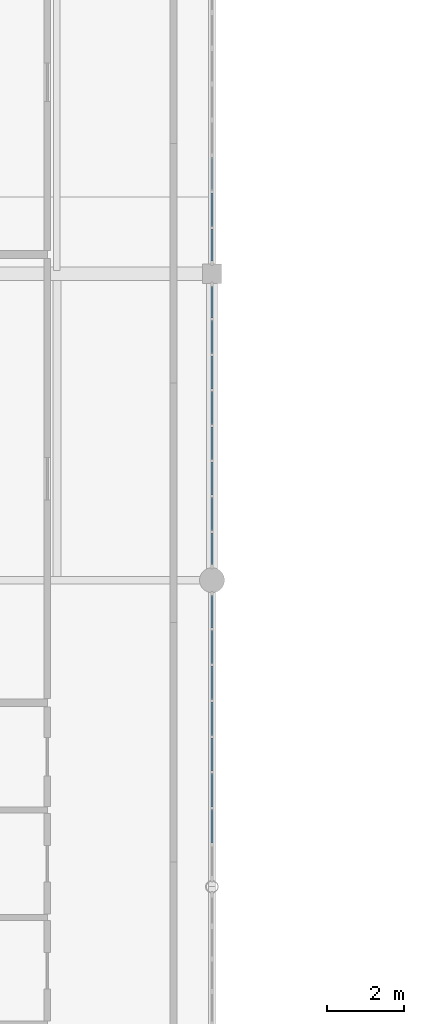
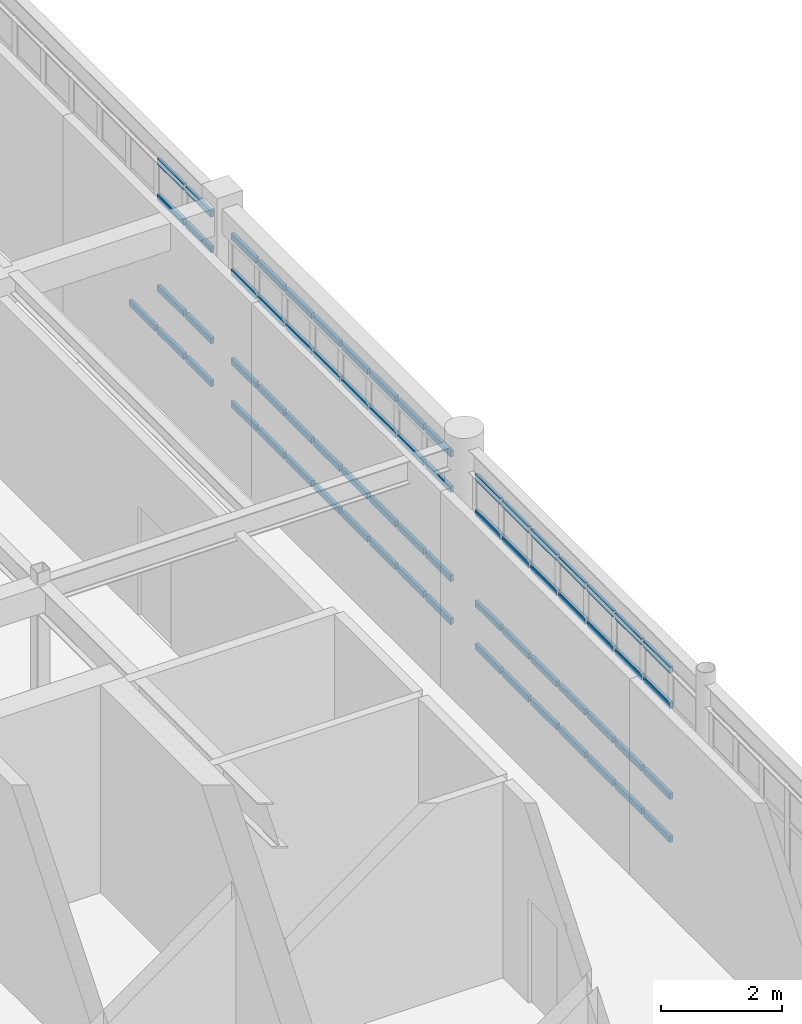
# One storey, part 7 of 18: 69 members, 3 elements without a shape of their own.
"""IFC4 building model written with IfcOpenShell, lengths in metres."""

from ifc_helpers import new_model, si_unit, direction, frame, origin, origin_2d, place, context, subcontext, project, spatial, rectangle, extrude, material, material_profile, profile_set, type_object, element, aggregate, save


model = new_model("IFC4")

# Units and contexts
model_context = context("Model", 3, precision=1e-05, world=origin(), true_north=direction((0.0, 1.0)))
body_context = subcontext(model_context, "Body", "Model", "MODEL_VIEW")
ifc_project = project(units=[si_unit("LENGTHUNIT", "METRE"), si_unit("AREAUNIT", "SQUARE_METRE"), si_unit("VOLUMEUNIT", "CUBIC_METRE"), si_unit("PLANEANGLEUNIT", "RADIAN"), si_unit("MASSUNIT", "GRAM", prefix="KILO")], contexts=[model_context])

# Site, building, storey
site_placement = place(None, origin())
site = spatial("IfcSite", under=ifc_project, at=site_placement, CompositionType="ELEMENT")
building_placement = place(site_placement, origin())
building = spatial("IfcBuilding", under=site, at=building_placement, Name="Tarnveldt Square Police Headquarters", CompositionType="ELEMENT")
storey_placement = place(building_placement, frame((0.0, 0.0, 29.10009765625)))
storey = spatial("IfcBuildingStorey", under=building, at=storey_placement, Name="L06", CompositionType="ELEMENT", Elevation=29.10009765625)

# Curtain wall, members
ifc_material_1 = material(Name="Triple-glazed low-e laminated vision glass", Category="glass")
curtain_wall_type_1 = type_object("IfcCurtainWallType", Name="CW-UP-748x349", PredefinedType="USERDEFINED", material=ifc_material_1)
curtain_wall_1_placement = place(storey_placement, origin())
curtain_wall_1 = element("IfcCurtainWall", 1, at=curtain_wall_1_placement, inside=storey, type_object=curtain_wall_type_1, Name="L06 Curtain Wall CW-L06-090", ObjectType="GLAZED CURTAIN WALL", PredefinedType="USERDEFINED")
ifc_material_2 = material(Name="Thermally broken anodised aluminium 6063-T6", Category="aluminium")
ifc_material_profile = material_profile(ifc_material_2, rectangle(XDim=0.06494140625, YDim=0.1201171875, at=origin_2d()), Name="CW-T65x120")
ifc_profile_set = profile_set([ifc_material_profile], Name="Thermally broken anodised aluminium 6063-T6")
member_type = type_object("IfcMemberType", Name="CWT-65x120", PredefinedType="USERDEFINED", material=ifc_profile_set)
member_1_placement = place(storey_placement, frame((40.5, 65.144775390625, 0.032470703125), z_axis=(0.0, 1.0, 0.0), x_axis=(-1.0, 0.0, 0.0)))
member_1 = element("IfcMember", 2, at=member_1_placement, type_object=member_type, Name="CW-UP44 transom 2.1", ObjectType="TRANSOM", PredefinedType="USERDEFINED", context=body_context, shape_type="SweptSolid", body=[
    extrude(rectangle(XDim=0.06494140625, YDim=0.1201171875, at=origin_2d()), origin(), (0.0, 0.0, 1.0), 0.870361328125),
])
member_2_placement = place(storey_placement, frame((40.5, 65.144775390625, 0.89990234375), z_axis=(0.0, 1.0, 0.0), x_axis=(-1.0, 0.0, 0.0)))
member_2 = element("IfcMember", 3, at=member_2_placement, type_object=member_type, Name="CW-UP44 transom 2.2", ObjectType="TRANSOM", PredefinedType="USERDEFINED", context=body_context, shape_type="SweptSolid", body=[
    extrude(rectangle(XDim=0.06494140625, YDim=0.1201171875, at=origin_2d()), origin(), (0.0, 0.0, 1.0), 0.870361328125),
])
member_3_placement = place(storey_placement, frame((40.5, 65.144775390625, 2.739013671875), z_axis=(0.0, 1.0, 0.0), x_axis=(-1.0, 0.0, 0.0)))
member_3 = element("IfcMember", 4, at=member_3_placement, type_object=member_type, Name="CW-UP44 transom 2.3", ObjectType="TRANSOM", PredefinedType="USERDEFINED", context=body_context, shape_type="SweptSolid", body=[
    extrude(rectangle(XDim=0.06494140625, YDim=0.1201171875, at=origin_2d()), origin(), (0.0, 0.0, 1.0), 0.870361328125),
])
member_4_placement = place(storey_placement, frame((40.5, 65.144775390625, 3.456298828125), z_axis=(0.0, 1.0, 0.0), x_axis=(-1.0, 0.0, 0.0)))
member_4 = element("IfcMember", 5, at=member_4_placement, type_object=member_type, Name="CW-UP44 transom 2.4", ObjectType="TRANSOM", PredefinedType="USERDEFINED", context=body_context, shape_type="SweptSolid", body=[
    extrude(rectangle(XDim=0.06494140625, YDim=0.1201171875, at=origin_2d()), origin(), (0.0, 0.0, 1.0), 0.870361328125),
])
member_5_placement = place(storey_placement, frame((40.5, 66.080322265625, 0.032470703125), z_axis=(0.0, 1.0, 0.0), x_axis=(-1.0, 0.0, 0.0)))
member_5 = element("IfcMember", 6, at=member_5_placement, type_object=member_type, Name="CW-UP44 transom 3.1", ObjectType="TRANSOM", PredefinedType="USERDEFINED", context=body_context, shape_type="SweptSolid", body=[
    extrude(rectangle(XDim=0.06494140625, YDim=0.1201171875, at=origin_2d()), origin(), (0.0, 0.0, 1.0), 0.870361328125),
])
member_6_placement = place(storey_placement, frame((40.5, 66.080322265625, 0.89990234375), z_axis=(0.0, 1.0, 0.0), x_axis=(-1.0, 0.0, 0.0)))
member_6 = element("IfcMember", 7, at=member_6_placement, type_object=member_type, Name="CW-UP44 transom 3.2", ObjectType="TRANSOM", PredefinedType="USERDEFINED", context=body_context, shape_type="SweptSolid", body=[
    extrude(rectangle(XDim=0.06494140625, YDim=0.1201171875, at=origin_2d()), origin(), (0.0, 0.0, 1.0), 0.870361328125),
])
member_7_placement = place(storey_placement, frame((40.5, 66.080322265625, 2.739013671875), z_axis=(0.0, 1.0, 0.0), x_axis=(-1.0, 0.0, 0.0)))
member_7 = element("IfcMember", 8, at=member_7_placement, type_object=member_type, Name="CW-UP44 transom 3.3", ObjectType="TRANSOM", PredefinedType="USERDEFINED", context=body_context, shape_type="SweptSolid", body=[
    extrude(rectangle(XDim=0.06494140625, YDim=0.1201171875, at=origin_2d()), origin(), (0.0, 0.0, 1.0), 0.870361328125),
])
member_8_placement = place(storey_placement, frame((40.5, 66.080322265625, 3.456298828125), z_axis=(0.0, 1.0, 0.0), x_axis=(-1.0, 0.0, 0.0)))
member_8 = element("IfcMember", 9, at=member_8_placement, type_object=member_type, Name="CW-UP44 transom 3.4", ObjectType="TRANSOM", PredefinedType="USERDEFINED", context=body_context, shape_type="SweptSolid", body=[
    extrude(rectangle(XDim=0.06494140625, YDim=0.1201171875, at=origin_2d()), origin(), (0.0, 0.0, 1.0), 0.870361328125),
])
member_9_placement = place(storey_placement, frame((40.5, 67.015625, 0.032470703125), z_axis=(0.0, 1.0, 0.0), x_axis=(-1.0, 0.0, 0.0)))
member_9 = element("IfcMember", 10, at=member_9_placement, type_object=member_type, Name="CW-UP44 transom 4.1", ObjectType="TRANSOM", PredefinedType="USERDEFINED", context=body_context, shape_type="SweptSolid", body=[
    extrude(rectangle(XDim=0.06494140625, YDim=0.1201171875, at=origin_2d()), origin(), (0.0, 0.0, 1.0), 0.870361328125),
])
member_10_placement = place(storey_placement, frame((40.5, 67.015625, 0.89990234375), z_axis=(0.0, 1.0, 0.0), x_axis=(-1.0, 0.0, 0.0)))
member_10 = element("IfcMember", 11, at=member_10_placement, type_object=member_type, Name="CW-UP44 transom 4.2", ObjectType="TRANSOM", PredefinedType="USERDEFINED", context=body_context, shape_type="SweptSolid", body=[
    extrude(rectangle(XDim=0.06494140625, YDim=0.1201171875, at=origin_2d()), origin(), (0.0, 0.0, 1.0), 0.870361328125),
])
member_11_placement = place(storey_placement, frame((40.5, 67.015625, 2.739013671875), z_axis=(0.0, 1.0, 0.0), x_axis=(-1.0, 0.0, 0.0)))
member_11 = element("IfcMember", 12, at=member_11_placement, type_object=member_type, Name="CW-UP44 transom 4.3", ObjectType="TRANSOM", PredefinedType="USERDEFINED", context=body_context, shape_type="SweptSolid", body=[
    extrude(rectangle(XDim=0.06494140625, YDim=0.1201171875, at=origin_2d()), origin(), (0.0, 0.0, 1.0), 0.870361328125),
])
member_12_placement = place(storey_placement, frame((40.5, 67.015625, 3.456298828125), z_axis=(0.0, 1.0, 0.0), x_axis=(-1.0, 0.0, 0.0)))
member_12 = element("IfcMember", 13, at=member_12_placement, type_object=member_type, Name="CW-UP44 transom 4.4", ObjectType="TRANSOM", PredefinedType="USERDEFINED", context=body_context, shape_type="SweptSolid", body=[
    extrude(rectangle(XDim=0.06494140625, YDim=0.1201171875, at=origin_2d()), origin(), (0.0, 0.0, 1.0), 0.870361328125),
])
member_13_placement = place(storey_placement, frame((40.5, 67.950927734375, 0.032470703125), z_axis=(0.0, 1.0, 0.0), x_axis=(-1.0, 0.0, 0.0)))
member_13 = element("IfcMember", 14, at=member_13_placement, type_object=member_type, Name="CW-UP44 transom 5.1", ObjectType="TRANSOM", PredefinedType="USERDEFINED", context=body_context, shape_type="SweptSolid", body=[
    extrude(rectangle(XDim=0.06494140625, YDim=0.1201171875, at=origin_2d()), origin(), (0.0, 0.0, 1.0), 0.870361328125),
])
member_14_placement = place(storey_placement, frame((40.5, 67.950927734375, 0.89990234375), z_axis=(0.0, 1.0, 0.0), x_axis=(-1.0, 0.0, 0.0)))
member_14 = element("IfcMember", 15, at=member_14_placement, type_object=member_type, Name="CW-UP44 transom 5.2", ObjectType="TRANSOM", PredefinedType="USERDEFINED", context=body_context, shape_type="SweptSolid", body=[
    extrude(rectangle(XDim=0.06494140625, YDim=0.1201171875, at=origin_2d()), origin(), (0.0, 0.0, 1.0), 0.870361328125),
])
member_15_placement = place(storey_placement, frame((40.5, 67.950927734375, 2.739013671875), z_axis=(0.0, 1.0, 0.0), x_axis=(-1.0, 0.0, 0.0)))
member_15 = element("IfcMember", 16, at=member_15_placement, type_object=member_type, Name="CW-UP44 transom 5.3", ObjectType="TRANSOM", PredefinedType="USERDEFINED", context=body_context, shape_type="SweptSolid", body=[
    extrude(rectangle(XDim=0.06494140625, YDim=0.1201171875, at=origin_2d()), origin(), (0.0, 0.0, 1.0), 0.870361328125),
])
member_16_placement = place(storey_placement, frame((40.5, 67.950927734375, 3.456298828125), z_axis=(0.0, 1.0, 0.0), x_axis=(-1.0, 0.0, 0.0)))
member_16 = element("IfcMember", 17, at=member_16_placement, type_object=member_type, Name="CW-UP44 transom 5.4", ObjectType="TRANSOM", PredefinedType="USERDEFINED", context=body_context, shape_type="SweptSolid", body=[
    extrude(rectangle(XDim=0.06494140625, YDim=0.1201171875, at=origin_2d()), origin(), (0.0, 0.0, 1.0), 0.870361328125),
])
member_17_placement = place(storey_placement, frame((40.5, 68.886474609375, 0.032470703125), z_axis=(0.0, 1.0, 0.0), x_axis=(-1.0, 0.0, 0.0)))
member_17 = element("IfcMember", 18, at=member_17_placement, type_object=member_type, Name="CW-UP44 transom 6.1", ObjectType="TRANSOM", PredefinedType="USERDEFINED", context=body_context, shape_type="SweptSolid", body=[
    extrude(rectangle(XDim=0.06494140625, YDim=0.1201171875, at=origin_2d()), origin(), (0.0, 0.0, 1.0), 0.870361328125),
])
member_18_placement = place(storey_placement, frame((40.5, 68.886474609375, 0.89990234375), z_axis=(0.0, 1.0, 0.0), x_axis=(-1.0, 0.0, 0.0)))
member_18 = element("IfcMember", 19, at=member_18_placement, type_object=member_type, Name="CW-UP44 transom 6.2", ObjectType="TRANSOM", PredefinedType="USERDEFINED", context=body_context, shape_type="SweptSolid", body=[
    extrude(rectangle(XDim=0.06494140625, YDim=0.1201171875, at=origin_2d()), origin(), (0.0, 0.0, 1.0), 0.870361328125),
])
member_19_placement = place(storey_placement, frame((40.5, 68.886474609375, 2.739013671875), z_axis=(0.0, 1.0, 0.0), x_axis=(-1.0, 0.0, 0.0)))
member_19 = element("IfcMember", 20, at=member_19_placement, type_object=member_type, Name="CW-UP44 transom 6.3", ObjectType="TRANSOM", PredefinedType="USERDEFINED", context=body_context, shape_type="SweptSolid", body=[
    extrude(rectangle(XDim=0.06494140625, YDim=0.1201171875, at=origin_2d()), origin(), (0.0, 0.0, 1.0), 0.870361328125),
])
member_20_placement = place(storey_placement, frame((40.5, 68.886474609375, 3.456298828125), z_axis=(0.0, 1.0, 0.0), x_axis=(-1.0, 0.0, 0.0)))
member_20 = element("IfcMember", 21, at=member_20_placement, type_object=member_type, Name="CW-UP44 transom 6.4", ObjectType="TRANSOM", PredefinedType="USERDEFINED", context=body_context, shape_type="SweptSolid", body=[
    extrude(rectangle(XDim=0.06494140625, YDim=0.1201171875, at=origin_2d()), origin(), (0.0, 0.0, 1.0), 0.870361328125),
])
member_21_placement = place(storey_placement, frame((40.5, 69.82177734375, 0.032470703125), z_axis=(0.0, 1.0, 0.0), x_axis=(-1.0, 0.0, 0.0)))
member_21 = element("IfcMember", 22, at=member_21_placement, type_object=member_type, Name="CW-UP44 transom 7.1", ObjectType="TRANSOM", PredefinedType="USERDEFINED", context=body_context, shape_type="SweptSolid", body=[
    extrude(rectangle(XDim=0.06494140625, YDim=0.1201171875, at=origin_2d()), origin(), (0.0, 0.0, 1.0), 0.870361328125),
])
member_22_placement = place(storey_placement, frame((40.5, 69.82177734375, 0.89990234375), z_axis=(0.0, 1.0, 0.0), x_axis=(-1.0, 0.0, 0.0)))
member_22 = element("IfcMember", 23, at=member_22_placement, type_object=member_type, Name="CW-UP44 transom 7.2", ObjectType="TRANSOM", PredefinedType="USERDEFINED", context=body_context, shape_type="SweptSolid", body=[
    extrude(rectangle(XDim=0.06494140625, YDim=0.1201171875, at=origin_2d()), origin(), (0.0, 0.0, 1.0), 0.870361328125),
])
member_23_placement = place(storey_placement, frame((40.5, 69.82177734375, 2.739013671875), z_axis=(0.0, 1.0, 0.0), x_axis=(-1.0, 0.0, 0.0)))
member_23 = element("IfcMember", 24, at=member_23_placement, type_object=member_type, Name="CW-UP44 transom 7.3", ObjectType="TRANSOM", PredefinedType="USERDEFINED", context=body_context, shape_type="SweptSolid", body=[
    extrude(rectangle(XDim=0.06494140625, YDim=0.1201171875, at=origin_2d()), origin(), (0.0, 0.0, 1.0), 0.870361328125),
])
member_24_placement = place(storey_placement, frame((40.5, 69.82177734375, 3.456298828125), z_axis=(0.0, 1.0, 0.0), x_axis=(-1.0, 0.0, 0.0)))
member_24 = element("IfcMember", 25, at=member_24_placement, type_object=member_type, Name="CW-UP44 transom 7.4", ObjectType="TRANSOM", PredefinedType="USERDEFINED", context=body_context, shape_type="SweptSolid", body=[
    extrude(rectangle(XDim=0.06494140625, YDim=0.1201171875, at=origin_2d()), origin(), (0.0, 0.0, 1.0), 0.870361328125),
])
member_25_placement = place(storey_placement, frame((40.5, 70.757080078125, 0.032470703125), z_axis=(0.0, 1.0, 0.0), x_axis=(-1.0, 0.0, 0.0)))
member_25 = element("IfcMember", 26, at=member_25_placement, type_object=member_type, Name="CW-UP44 transom 8.1", ObjectType="TRANSOM", PredefinedType="USERDEFINED", context=body_context, shape_type="SweptSolid", body=[
    extrude(rectangle(XDim=0.06494140625, YDim=0.1201171875, at=origin_2d()), origin(), (0.0, 0.0, 1.0), 0.837890625),
])
member_26_placement = place(storey_placement, frame((40.5, 70.757080078125, 0.89990234375), z_axis=(0.0, 1.0, 0.0), x_axis=(-1.0, 0.0, 0.0)))
member_26 = element("IfcMember", 27, at=member_26_placement, type_object=member_type, Name="CW-UP44 transom 8.2", ObjectType="TRANSOM", PredefinedType="USERDEFINED", context=body_context, shape_type="SweptSolid", body=[
    extrude(rectangle(XDim=0.06494140625, YDim=0.1201171875, at=origin_2d()), origin(), (0.0, 0.0, 1.0), 0.837890625),
])
member_27_placement = place(storey_placement, frame((40.5, 70.757080078125, 2.739013671875), z_axis=(0.0, 1.0, 0.0), x_axis=(-1.0, 0.0, 0.0)))
member_27 = element("IfcMember", 28, at=member_27_placement, type_object=member_type, Name="CW-UP44 transom 8.3", ObjectType="TRANSOM", PredefinedType="USERDEFINED", context=body_context, shape_type="SweptSolid", body=[
    extrude(rectangle(XDim=0.06494140625, YDim=0.1201171875, at=origin_2d()), origin(), (0.0, 0.0, 1.0), 0.837890625),
])
member_28_placement = place(storey_placement, frame((40.5, 70.757080078125, 3.456298828125), z_axis=(0.0, 1.0, 0.0), x_axis=(-1.0, 0.0, 0.0)))
member_28 = element("IfcMember", 29, at=member_28_placement, type_object=member_type, Name="CW-UP44 transom 8.4", ObjectType="TRANSOM", PredefinedType="USERDEFINED", context=body_context, shape_type="SweptSolid", body=[
    extrude(rectangle(XDim=0.06494140625, YDim=0.1201171875, at=origin_2d()), origin(), (0.0, 0.0, 1.0), 0.837890625),
])
aggregate(curtain_wall_1, [member_1, member_2, member_3, member_4, member_5, member_6, member_7, member_8, member_9, member_10, member_11, member_12, member_13, member_14, member_15, member_16, member_17, member_18, member_19, member_20, member_21, member_22, member_23, member_24, member_25, member_26, member_27, member_28])

curtain_wall_type_2 = type_object("IfcCurtainWallType", Name="CW-UP-739x345", PredefinedType="USERDEFINED", material=ifc_material_1)
curtain_wall_2_placement = place(storey_placement, origin())
curtain_wall_2 = element("IfcCurtainWall", 30, at=curtain_wall_2_placement, inside=storey, type_object=curtain_wall_type_2, Name="L06 Curtain Wall CW-L06-091", ObjectType="GLAZED CURTAIN WALL", PredefinedType="USERDEFINED")
member_29_placement = place(storey_placement, frame((40.5, 72.405029296875, 0.032470703125), z_axis=(0.0, 1.0, 0.0), x_axis=(-1.0, 0.0, 0.0)))
member_29 = element("IfcMember", 31, at=member_29_placement, type_object=member_type, Name="CW-UP48 transom 1.1", ObjectType="TRANSOM", PredefinedType="USERDEFINED", context=body_context, shape_type="SweptSolid", body=[
    extrude(rectangle(XDim=0.06494140625, YDim=0.1201171875, at=origin_2d()), origin(), (0.0, 0.0, 1.0), 0.826904296875),
])
member_30_placement = place(storey_placement, frame((40.5, 72.405029296875, 0.89990234375), z_axis=(0.0, 1.0, 0.0), x_axis=(-1.0, 0.0, 0.0)))
member_30 = element("IfcMember", 32, at=member_30_placement, type_object=member_type, Name="CW-UP48 transom 1.2", ObjectType="TRANSOM", PredefinedType="USERDEFINED", context=body_context, shape_type="SweptSolid", body=[
    extrude(rectangle(XDim=0.06494140625, YDim=0.1201171875, at=origin_2d()), origin(), (0.0, 0.0, 1.0), 0.826904296875),
])
member_31_placement = place(storey_placement, frame((40.5, 72.405029296875, 2.701904296875), z_axis=(0.0, 1.0, 0.0), x_axis=(-1.0, 0.0, 0.0)))
member_31 = element("IfcMember", 33, at=member_31_placement, type_object=member_type, Name="CW-UP48 transom 1.3", ObjectType="TRANSOM", PredefinedType="USERDEFINED", context=body_context, shape_type="SweptSolid", body=[
    extrude(rectangle(XDim=0.06494140625, YDim=0.1201171875, at=origin_2d()), origin(), (0.0, 0.0, 1.0), 0.826904296875),
])
member_32_placement = place(storey_placement, frame((40.5, 72.405029296875, 3.41943359375), z_axis=(0.0, 1.0, 0.0), x_axis=(-1.0, 0.0, 0.0)))
member_32 = element("IfcMember", 34, at=member_32_placement, type_object=member_type, Name="CW-UP48 transom 1.4", ObjectType="TRANSOM", PredefinedType="USERDEFINED", context=body_context, shape_type="SweptSolid", body=[
    extrude(rectangle(XDim=0.06494140625, YDim=0.1201171875, at=origin_2d()), origin(), (0.0, 0.0, 1.0), 0.826904296875),
])
member_33_placement = place(storey_placement, frame((40.5, 73.296875, 0.032470703125), z_axis=(0.0, 1.0, 0.0), x_axis=(-1.0, 0.0, 0.0)))
member_33 = element("IfcMember", 35, at=member_33_placement, type_object=member_type, Name="CW-UP48 transom 2.1", ObjectType="TRANSOM", PredefinedType="USERDEFINED", context=body_context, shape_type="SweptSolid", body=[
    extrude(rectangle(XDim=0.06494140625, YDim=0.1201171875, at=origin_2d()), origin(), (0.0, 0.0, 1.0), 0.859375),
])
member_34_placement = place(storey_placement, frame((40.5, 73.296875, 0.89990234375), z_axis=(0.0, 1.0, 0.0), x_axis=(-1.0, 0.0, 0.0)))
member_34 = element("IfcMember", 36, at=member_34_placement, type_object=member_type, Name="CW-UP48 transom 2.2", ObjectType="TRANSOM", PredefinedType="USERDEFINED", context=body_context, shape_type="SweptSolid", body=[
    extrude(rectangle(XDim=0.06494140625, YDim=0.1201171875, at=origin_2d()), origin(), (0.0, 0.0, 1.0), 0.859375),
])
member_35_placement = place(storey_placement, frame((40.5, 73.296875, 2.701904296875), z_axis=(0.0, 1.0, 0.0), x_axis=(-1.0, 0.0, 0.0)))
member_35 = element("IfcMember", 37, at=member_35_placement, type_object=member_type, Name="CW-UP48 transom 2.3", ObjectType="TRANSOM", PredefinedType="USERDEFINED", context=body_context, shape_type="SweptSolid", body=[
    extrude(rectangle(XDim=0.06494140625, YDim=0.1201171875, at=origin_2d()), origin(), (0.0, 0.0, 1.0), 0.859375),
])
member_36_placement = place(storey_placement, frame((40.5, 73.296875, 3.41943359375), z_axis=(0.0, 1.0, 0.0), x_axis=(-1.0, 0.0, 0.0)))
member_36 = element("IfcMember", 38, at=member_36_placement, type_object=member_type, Name="CW-UP48 transom 2.4", ObjectType="TRANSOM", PredefinedType="USERDEFINED", context=body_context, shape_type="SweptSolid", body=[
    extrude(rectangle(XDim=0.06494140625, YDim=0.1201171875, at=origin_2d()), origin(), (0.0, 0.0, 1.0), 0.859375),
])
member_37_placement = place(storey_placement, frame((40.5, 74.22119140625, 0.032470703125), z_axis=(0.0, 1.0, 0.0), x_axis=(-1.0, 0.0, 0.0)))
member_37 = element("IfcMember", 39, at=member_37_placement, type_object=member_type, Name="CW-UP48 transom 3.1", ObjectType="TRANSOM", PredefinedType="USERDEFINED", context=body_context, shape_type="SweptSolid", body=[
    extrude(rectangle(XDim=0.06494140625, YDim=0.1201171875, at=origin_2d()), origin(), (0.0, 0.0, 1.0), 0.859375),
])
member_38_placement = place(storey_placement, frame((40.5, 74.22119140625, 0.89990234375), z_axis=(0.0, 1.0, 0.0), x_axis=(-1.0, 0.0, 0.0)))
member_38 = element("IfcMember", 40, at=member_38_placement, type_object=member_type, Name="CW-UP48 transom 3.2", ObjectType="TRANSOM", PredefinedType="USERDEFINED", context=body_context, shape_type="SweptSolid", body=[
    extrude(rectangle(XDim=0.06494140625, YDim=0.1201171875, at=origin_2d()), origin(), (0.0, 0.0, 1.0), 0.859375),
])
member_39_placement = place(storey_placement, frame((40.5, 74.22119140625, 2.701904296875), z_axis=(0.0, 1.0, 0.0), x_axis=(-1.0, 0.0, 0.0)))
member_39 = element("IfcMember", 41, at=member_39_placement, type_object=member_type, Name="CW-UP48 transom 3.3", ObjectType="TRANSOM", PredefinedType="USERDEFINED", context=body_context, shape_type="SweptSolid", body=[
    extrude(rectangle(XDim=0.06494140625, YDim=0.1201171875, at=origin_2d()), origin(), (0.0, 0.0, 1.0), 0.859375),
])
member_40_placement = place(storey_placement, frame((40.5, 74.22119140625, 3.41943359375), z_axis=(0.0, 1.0, 0.0), x_axis=(-1.0, 0.0, 0.0)))
member_40 = element("IfcMember", 42, at=member_40_placement, type_object=member_type, Name="CW-UP48 transom 3.4", ObjectType="TRANSOM", PredefinedType="USERDEFINED", context=body_context, shape_type="SweptSolid", body=[
    extrude(rectangle(XDim=0.06494140625, YDim=0.1201171875, at=origin_2d()), origin(), (0.0, 0.0, 1.0), 0.859375),
])
member_41_placement = place(storey_placement, frame((40.5, 75.1455078125, 0.032470703125), z_axis=(0.0, 1.0, 0.0), x_axis=(-1.0, 0.0, 0.0)))
member_41 = element("IfcMember", 43, at=member_41_placement, type_object=member_type, Name="CW-UP48 transom 4.1", ObjectType="TRANSOM", PredefinedType="USERDEFINED", context=body_context, shape_type="SweptSolid", body=[
    extrude(rectangle(XDim=0.06494140625, YDim=0.1201171875, at=origin_2d()), origin(), (0.0, 0.0, 1.0), 0.859375),
])
member_42_placement = place(storey_placement, frame((40.5, 75.1455078125, 0.89990234375), z_axis=(0.0, 1.0, 0.0), x_axis=(-1.0, 0.0, 0.0)))
member_42 = element("IfcMember", 44, at=member_42_placement, type_object=member_type, Name="CW-UP48 transom 4.2", ObjectType="TRANSOM", PredefinedType="USERDEFINED", context=body_context, shape_type="SweptSolid", body=[
    extrude(rectangle(XDim=0.06494140625, YDim=0.1201171875, at=origin_2d()), origin(), (0.0, 0.0, 1.0), 0.859375),
])
member_43_placement = place(storey_placement, frame((40.5, 75.1455078125, 2.701904296875), z_axis=(0.0, 1.0, 0.0), x_axis=(-1.0, 0.0, 0.0)))
member_43 = element("IfcMember", 45, at=member_43_placement, type_object=member_type, Name="CW-UP48 transom 4.3", ObjectType="TRANSOM", PredefinedType="USERDEFINED", context=body_context, shape_type="SweptSolid", body=[
    extrude(rectangle(XDim=0.06494140625, YDim=0.1201171875, at=origin_2d()), origin(), (0.0, 0.0, 1.0), 0.859375),
])
member_44_placement = place(storey_placement, frame((40.5, 75.1455078125, 3.41943359375), z_axis=(0.0, 1.0, 0.0), x_axis=(-1.0, 0.0, 0.0)))
member_44 = element("IfcMember", 46, at=member_44_placement, type_object=member_type, Name="CW-UP48 transom 4.4", ObjectType="TRANSOM", PredefinedType="USERDEFINED", context=body_context, shape_type="SweptSolid", body=[
    extrude(rectangle(XDim=0.06494140625, YDim=0.1201171875, at=origin_2d()), origin(), (0.0, 0.0, 1.0), 0.859375),
])
member_45_placement = place(storey_placement, frame((40.5, 76.070068359375, 0.032470703125), z_axis=(0.0, 1.0, 0.0), x_axis=(-1.0, 0.0, 0.0)))
member_45 = element("IfcMember", 47, at=member_45_placement, type_object=member_type, Name="CW-UP48 transom 5.1", ObjectType="TRANSOM", PredefinedType="USERDEFINED", context=body_context, shape_type="SweptSolid", body=[
    extrude(rectangle(XDim=0.06494140625, YDim=0.1201171875, at=origin_2d()), origin(), (0.0, 0.0, 1.0), 0.859375),
])
member_46_placement = place(storey_placement, frame((40.5, 76.070068359375, 0.89990234375), z_axis=(0.0, 1.0, 0.0), x_axis=(-1.0, 0.0, 0.0)))
member_46 = element("IfcMember", 48, at=member_46_placement, type_object=member_type, Name="CW-UP48 transom 5.2", ObjectType="TRANSOM", PredefinedType="USERDEFINED", context=body_context, shape_type="SweptSolid", body=[
    extrude(rectangle(XDim=0.06494140625, YDim=0.1201171875, at=origin_2d()), origin(), (0.0, 0.0, 1.0), 0.859375),
])
member_47_placement = place(storey_placement, frame((40.5, 76.070068359375, 2.701904296875), z_axis=(0.0, 1.0, 0.0), x_axis=(-1.0, 0.0, 0.0)))
member_47 = element("IfcMember", 49, at=member_47_placement, type_object=member_type, Name="CW-UP48 transom 5.3", ObjectType="TRANSOM", PredefinedType="USERDEFINED", context=body_context, shape_type="SweptSolid", body=[
    extrude(rectangle(XDim=0.06494140625, YDim=0.1201171875, at=origin_2d()), origin(), (0.0, 0.0, 1.0), 0.859375),
])
member_48_placement = place(storey_placement, frame((40.5, 76.070068359375, 3.41943359375), z_axis=(0.0, 1.0, 0.0), x_axis=(-1.0, 0.0, 0.0)))
member_48 = element("IfcMember", 50, at=member_48_placement, type_object=member_type, Name="CW-UP48 transom 5.4", ObjectType="TRANSOM", PredefinedType="USERDEFINED", context=body_context, shape_type="SweptSolid", body=[
    extrude(rectangle(XDim=0.06494140625, YDim=0.1201171875, at=origin_2d()), origin(), (0.0, 0.0, 1.0), 0.859375),
])
member_49_placement = place(storey_placement, frame((40.5, 76.994384765625, 0.032470703125), z_axis=(0.0, 1.0, 0.0), x_axis=(-1.0, 0.0, 0.0)))
member_49 = element("IfcMember", 51, at=member_49_placement, type_object=member_type, Name="CW-UP48 transom 6.1", ObjectType="TRANSOM", PredefinedType="USERDEFINED", context=body_context, shape_type="SweptSolid", body=[
    extrude(rectangle(XDim=0.06494140625, YDim=0.1201171875, at=origin_2d()), origin(), (0.0, 0.0, 1.0), 0.859375),
])
member_50_placement = place(storey_placement, frame((40.5, 76.994384765625, 0.89990234375), z_axis=(0.0, 1.0, 0.0), x_axis=(-1.0, 0.0, 0.0)))
member_50 = element("IfcMember", 52, at=member_50_placement, type_object=member_type, Name="CW-UP48 transom 6.2", ObjectType="TRANSOM", PredefinedType="USERDEFINED", context=body_context, shape_type="SweptSolid", body=[
    extrude(rectangle(XDim=0.06494140625, YDim=0.1201171875, at=origin_2d()), origin(), (0.0, 0.0, 1.0), 0.859375),
])
member_51_placement = place(storey_placement, frame((40.5, 76.994384765625, 2.701904296875), z_axis=(0.0, 1.0, 0.0), x_axis=(-1.0, 0.0, 0.0)))
member_51 = element("IfcMember", 53, at=member_51_placement, type_object=member_type, Name="CW-UP48 transom 6.3", ObjectType="TRANSOM", PredefinedType="USERDEFINED", context=body_context, shape_type="SweptSolid", body=[
    extrude(rectangle(XDim=0.06494140625, YDim=0.1201171875, at=origin_2d()), origin(), (0.0, 0.0, 1.0), 0.859375),
])
member_52_placement = place(storey_placement, frame((40.5, 76.994384765625, 3.41943359375), z_axis=(0.0, 1.0, 0.0), x_axis=(-1.0, 0.0, 0.0)))
member_52 = element("IfcMember", 54, at=member_52_placement, type_object=member_type, Name="CW-UP48 transom 6.4", ObjectType="TRANSOM", PredefinedType="USERDEFINED", context=body_context, shape_type="SweptSolid", body=[
    extrude(rectangle(XDim=0.06494140625, YDim=0.1201171875, at=origin_2d()), origin(), (0.0, 0.0, 1.0), 0.859375),
])
member_53_placement = place(storey_placement, frame((40.5, 77.918701171875, 0.032470703125), z_axis=(0.0, 1.0, 0.0), x_axis=(-1.0, 0.0, 0.0)))
member_53 = element("IfcMember", 55, at=member_53_placement, type_object=member_type, Name="CW-UP48 transom 7.1", ObjectType="TRANSOM", PredefinedType="USERDEFINED", context=body_context, shape_type="SweptSolid", body=[
    extrude(rectangle(XDim=0.06494140625, YDim=0.1201171875, at=origin_2d()), origin(), (0.0, 0.0, 1.0), 0.859375),
])
member_54_placement = place(storey_placement, frame((40.5, 77.918701171875, 0.89990234375), z_axis=(0.0, 1.0, 0.0), x_axis=(-1.0, 0.0, 0.0)))
member_54 = element("IfcMember", 56, at=member_54_placement, type_object=member_type, Name="CW-UP48 transom 7.2", ObjectType="TRANSOM", PredefinedType="USERDEFINED", context=body_context, shape_type="SweptSolid", body=[
    extrude(rectangle(XDim=0.06494140625, YDim=0.1201171875, at=origin_2d()), origin(), (0.0, 0.0, 1.0), 0.859375),
])
member_55_placement = place(storey_placement, frame((40.5, 77.918701171875, 2.701904296875), z_axis=(0.0, 1.0, 0.0), x_axis=(-1.0, 0.0, 0.0)))
member_55 = element("IfcMember", 57, at=member_55_placement, type_object=member_type, Name="CW-UP48 transom 7.3", ObjectType="TRANSOM", PredefinedType="USERDEFINED", context=body_context, shape_type="SweptSolid", body=[
    extrude(rectangle(XDim=0.06494140625, YDim=0.1201171875, at=origin_2d()), origin(), (0.0, 0.0, 1.0), 0.859375),
])
member_56_placement = place(storey_placement, frame((40.5, 77.918701171875, 3.41943359375), z_axis=(0.0, 1.0, 0.0), x_axis=(-1.0, 0.0, 0.0)))
member_56 = element("IfcMember", 58, at=member_56_placement, type_object=member_type, Name="CW-UP48 transom 7.4", ObjectType="TRANSOM", PredefinedType="USERDEFINED", context=body_context, shape_type="SweptSolid", body=[
    extrude(rectangle(XDim=0.06494140625, YDim=0.1201171875, at=origin_2d()), origin(), (0.0, 0.0, 1.0), 0.859375),
])
member_57_placement = place(storey_placement, frame((40.5, 78.843017578125, 0.032470703125), z_axis=(0.0, 1.0, 0.0), x_axis=(-1.0, 0.0, 0.0)))
member_57 = element("IfcMember", 59, at=member_57_placement, type_object=member_type, Name="CW-UP48 transom 8.1", ObjectType="TRANSOM", PredefinedType="USERDEFINED", context=body_context, shape_type="SweptSolid", body=[
    extrude(rectangle(XDim=0.06494140625, YDim=0.1201171875, at=origin_2d()), origin(), (0.0, 0.0, 1.0), 0.826904296875),
])
member_58_placement = place(storey_placement, frame((40.5, 78.843017578125, 0.89990234375), z_axis=(0.0, 1.0, 0.0), x_axis=(-1.0, 0.0, 0.0)))
member_58 = element("IfcMember", 60, at=member_58_placement, type_object=member_type, Name="CW-UP48 transom 8.2", ObjectType="TRANSOM", PredefinedType="USERDEFINED", context=body_context, shape_type="SweptSolid", body=[
    extrude(rectangle(XDim=0.06494140625, YDim=0.1201171875, at=origin_2d()), origin(), (0.0, 0.0, 1.0), 0.826904296875),
])
member_59_placement = place(storey_placement, frame((40.5, 78.843017578125, 2.701904296875), z_axis=(0.0, 1.0, 0.0), x_axis=(-1.0, 0.0, 0.0)))
member_59 = element("IfcMember", 61, at=member_59_placement, type_object=member_type, Name="CW-UP48 transom 8.3", ObjectType="TRANSOM", PredefinedType="USERDEFINED", context=body_context, shape_type="SweptSolid", body=[
    extrude(rectangle(XDim=0.06494140625, YDim=0.1201171875, at=origin_2d()), origin(), (0.0, 0.0, 1.0), 0.826904296875),
])
member_60_placement = place(storey_placement, frame((40.5, 78.843017578125, 3.41943359375), z_axis=(0.0, 1.0, 0.0), x_axis=(-1.0, 0.0, 0.0)))
member_60 = element("IfcMember", 62, at=member_60_placement, type_object=member_type, Name="CW-UP48 transom 8.4", ObjectType="TRANSOM", PredefinedType="USERDEFINED", context=body_context, shape_type="SweptSolid", body=[
    extrude(rectangle(XDim=0.06494140625, YDim=0.1201171875, at=origin_2d()), origin(), (0.0, 0.0, 1.0), 0.826904296875),
])
aggregate(curtain_wall_2, [member_29, member_30, member_31, member_32, member_33, member_34, member_35, member_36, member_37, member_38, member_39, member_40, member_41, member_42, member_43, member_44, member_45, member_46, member_47, member_48, member_49, member_50, member_51, member_52, member_53, member_54, member_55, member_56, member_57, member_58, member_59, member_60])

curtain_wall_type_3 = type_object("IfcCurtainWallType", Name="CW-UP-750x349", PredefinedType="USERDEFINED", material=ifc_material_1)
curtain_wall_3_placement = place(storey_placement, origin())
curtain_wall_3 = element("IfcCurtainWall", 63, at=curtain_wall_3_placement, inside=storey, type_object=curtain_wall_type_3, Name="L06 Curtain Wall CW-L06-092", ObjectType="GLAZED CURTAIN WALL", PredefinedType="USERDEFINED")
member_61_placement = place(storey_placement, frame((40.5, 80.330078125, 0.032470703125), z_axis=(0.0, 1.0, 0.0), x_axis=(-1.0, 0.0, 0.0)))
member_61 = element("IfcMember", 64, at=member_61_placement, type_object=member_type, Name="CW-UP49 transom 1.1", ObjectType="TRANSOM", PredefinedType="USERDEFINED", context=body_context, shape_type="SweptSolid", body=[
    extrude(rectangle(XDim=0.06494140625, YDim=0.1201171875, at=origin_2d()), origin(), (0.0, 0.0, 1.0), 0.83935546875),
])
member_62_placement = place(storey_placement, frame((40.5, 80.330078125, 0.89990234375), z_axis=(0.0, 1.0, 0.0), x_axis=(-1.0, 0.0, 0.0)))
member_62 = element("IfcMember", 65, at=member_62_placement, type_object=member_type, Name="CW-UP49 transom 1.2", ObjectType="TRANSOM", PredefinedType="USERDEFINED", context=body_context, shape_type="SweptSolid", body=[
    extrude(rectangle(XDim=0.06494140625, YDim=0.1201171875, at=origin_2d()), origin(), (0.0, 0.0, 1.0), 0.83935546875),
])
member_63_placement = place(storey_placement, frame((40.5, 80.330078125, 2.739013671875), z_axis=(0.0, 1.0, 0.0), x_axis=(-1.0, 0.0, 0.0)))
member_63 = element("IfcMember", 66, at=member_63_placement, type_object=member_type, Name="CW-UP49 transom 1.3", ObjectType="TRANSOM", PredefinedType="USERDEFINED", context=body_context, shape_type="SweptSolid", body=[
    extrude(rectangle(XDim=0.06494140625, YDim=0.1201171875, at=origin_2d()), origin(), (0.0, 0.0, 1.0), 0.83935546875),
])
member_64_placement = place(storey_placement, frame((40.5, 80.330078125, 3.456298828125), z_axis=(0.0, 1.0, 0.0), x_axis=(-1.0, 0.0, 0.0)))
member_64 = element("IfcMember", 67, at=member_64_placement, type_object=member_type, Name="CW-UP49 transom 1.4", ObjectType="TRANSOM", PredefinedType="USERDEFINED", context=body_context, shape_type="SweptSolid", body=[
    extrude(rectangle(XDim=0.06494140625, YDim=0.1201171875, at=origin_2d()), origin(), (0.0, 0.0, 1.0), 0.83935546875),
])
member_65_placement = place(storey_placement, frame((40.5, 81.234375, 0.032470703125), z_axis=(0.0, 1.0, 0.0), x_axis=(-1.0, 0.0, 0.0)))
member_65 = element("IfcMember", 68, at=member_65_placement, type_object=member_type, Name="CW-UP49 transom 2.1", ObjectType="TRANSOM", PredefinedType="USERDEFINED", context=body_context, shape_type="SweptSolid", body=[
    extrude(rectangle(XDim=0.06494140625, YDim=0.1201171875, at=origin_2d()), origin(), (0.0, 0.0, 1.0), 0.871826171875),
])
member_66_placement = place(storey_placement, frame((40.5, 81.234375, 0.89990234375), z_axis=(0.0, 1.0, 0.0), x_axis=(-1.0, 0.0, 0.0)))
member_66 = element("IfcMember", 69, at=member_66_placement, type_object=member_type, Name="CW-UP49 transom 2.2", ObjectType="TRANSOM", PredefinedType="USERDEFINED", context=body_context, shape_type="SweptSolid", body=[
    extrude(rectangle(XDim=0.06494140625, YDim=0.1201171875, at=origin_2d()), origin(), (0.0, 0.0, 1.0), 0.871826171875),
])
member_67_placement = place(storey_placement, frame((40.5, 81.234375, 2.739013671875), z_axis=(0.0, 1.0, 0.0), x_axis=(-1.0, 0.0, 0.0)))
member_67 = element("IfcMember", 70, at=member_67_placement, type_object=member_type, Name="CW-UP49 transom 2.3", ObjectType="TRANSOM", PredefinedType="USERDEFINED", context=body_context, shape_type="SweptSolid", body=[
    extrude(rectangle(XDim=0.06494140625, YDim=0.1201171875, at=origin_2d()), origin(), (0.0, 0.0, 1.0), 0.871826171875),
])
member_68_placement = place(storey_placement, frame((40.5, 81.234375, 3.456298828125), z_axis=(0.0, 1.0, 0.0), x_axis=(-1.0, 0.0, 0.0)))
member_68 = element("IfcMember", 71, at=member_68_placement, type_object=member_type, Name="CW-UP49 transom 2.4", ObjectType="TRANSOM", PredefinedType="USERDEFINED", context=body_context, shape_type="SweptSolid", body=[
    extrude(rectangle(XDim=0.06494140625, YDim=0.1201171875, at=origin_2d()), origin(), (0.0, 0.0, 1.0), 0.871826171875),
])
member_69_placement = place(storey_placement, frame((40.5, 82.171142578125, 0.032470703125), z_axis=(0.0, 1.0, 0.0), x_axis=(-1.0, 0.0, 0.0)))
member_69 = element("IfcMember", 72, at=member_69_placement, type_object=member_type, Name="CW-UP49 transom 3.1", ObjectType="TRANSOM", PredefinedType="USERDEFINED", context=body_context, shape_type="SweptSolid", body=[
    extrude(rectangle(XDim=0.06494140625, YDim=0.1201171875, at=origin_2d()), origin(), (0.0, 0.0, 1.0), 0.8720703125),
])
aggregate(curtain_wall_3, [member_61, member_62, member_63, member_64, member_65, member_66, member_67, member_68, member_69])

save(model, "model.ifc")
